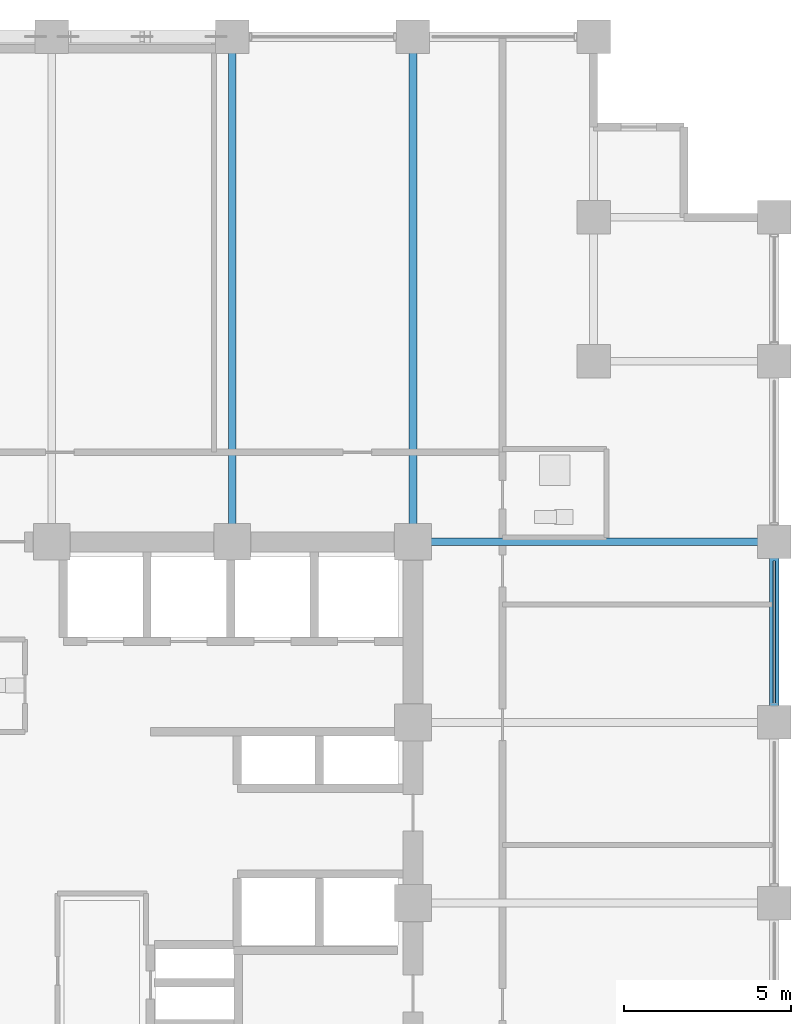
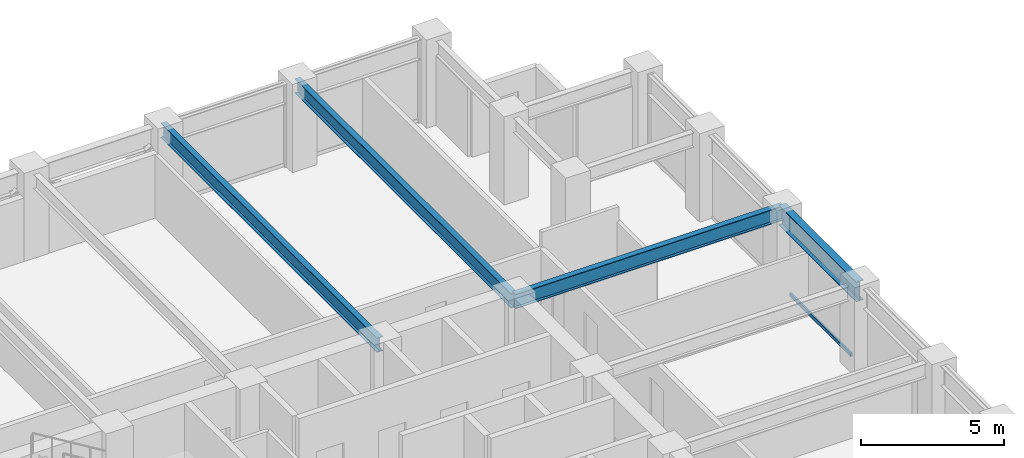
# One storey, part 14 of 23: 4 beams, 1 member, 1 element without a shape of its own.
"""IFC4 building model written with IfcOpenShell, lengths in metres."""

from ifc_helpers import new_model, si_unit, direction, frame, origin, origin_2d, place, context, subcontext, project, spatial, hollow_rectangle, i_section, extrude, material, layer, layer_set, material_profile, profile_set, type_object, element, aggregate, save


model = new_model("IFC4")

# Units and contexts
model_context = context("Model", 3, precision=1e-05, world=origin(), true_north=direction((0.0, 1.0)))
body_context = subcontext(model_context, "Body", "Model", "MODEL_VIEW")
ifc_project = project(units=[si_unit("LENGTHUNIT", "METRE"), si_unit("AREAUNIT", "SQUARE_METRE"), si_unit("VOLUMEUNIT", "CUBIC_METRE"), si_unit("PLANEANGLEUNIT", "RADIAN"), si_unit("MASSUNIT", "GRAM", prefix="KILO")], contexts=[model_context])

# Site, building, storey
site_placement = place(None, origin())
site = spatial("IfcSite", under=ifc_project, at=site_placement, CompositionType="ELEMENT")
building_placement = place(site_placement, origin())
building = spatial("IfcBuilding", under=site, at=building_placement, Name="Surkhivell Harbour Commons", CompositionType="ELEMENT")
storey_placement = place(building_placement, frame((0.0, 0.0, 135.75)))
storey = spatial("IfcBuildingStorey", under=building, at=storey_placement, Name="L35", CompositionType="ELEMENT", Elevation=135.75)

# Beams
ifc_material_1 = material(Name="Steel S355", Category="steel")
ifc_material_profile_1 = material_profile(ifc_material_1, i_section(OverallWidth=0.22998046875, OverallDepth=0.616943359375, WebThickness=0.01318359375, FlangeThickness=0.022216796875, at=origin_2d()), Name="UB610x229x140")
ifc_profile_set_1 = profile_set([ifc_material_profile_1], Name="Steel S355")
beam_type_1 = type_object("IfcBeamType", Name="BM-GRD-610B", PredefinedType="BEAM", material=ifc_profile_set_1)
for number, where, z_axis, x_axis, name in (
    (1, (5.39990234375, 10.800048828125, 3.261474609375), (0.0, 1.0, 0.0), (-1.0, 0.0, 0.0), "L35 Floor Girder (5.4,10.8)"),
    (2, (10.800048828125, 10.800048828125, 3.261474609375), (0.0, 1.0, 0.0), (-1.0, 0.0, 0.0), "L35 Floor Girder (10.8,10.8)"),
):
    element("IfcBeam", number, at=place(storey_placement, frame(where, z_axis=z_axis, x_axis=x_axis)), inside=storey, type_object=beam_type_1, Name=name, PredefinedType="BEAM", context=body_context, shape_type="SweptSolid", body=[
        extrude(i_section(OverallWidth=0.22998046875, OverallDepth=0.616943359375, WebThickness=0.01318359375, FlangeThickness=0.022216796875, at=origin_2d()), origin(), (0.0, 0.0, 1.0), 15.099853515625),
    ])
beam_1_placement = place(storey_placement, frame((10.800048828125, 10.800048828125, 3.261474609375), z_axis=(1.0, 0.0, 0.0), x_axis=(0.0, 1.0, 0.0)))
element("IfcBeam", 3, at=beam_1_placement, inside=storey, type_object=beam_type_1, Name="L35 Floor Girder (10.8,10.8)", PredefinedType="BEAM", context=body_context, shape_type="SweptSolid", body=[
    extrude(i_section(OverallWidth=0.22998046875, OverallDepth=0.616943359375, WebThickness=0.01318359375, FlangeThickness=0.022216796875, at=origin_2d()), origin(), (0.0, 0.0, 1.0), 10.800048828125),
])
ifc_material_2 = material(Name="Steel S460", Category="steel")
ifc_material_profile_2 = material_profile(ifc_material_2, i_section(OverallWidth=0.2939453125, OverallDepth=0.85107421875, WebThickness=0.01611328125, FlangeThickness=0.02685546875, at=origin_2d()), Name="UB838x292x226")
ifc_profile_set_2 = profile_set([ifc_material_profile_2], Name="Steel S460")
beam_type_2 = type_object("IfcBeamType", Name="BM-SPN-838", PredefinedType="SPANDREL", material=ifc_profile_set_2)
beam_2_placement = place(storey_placement, frame((21.60009765625, 5.39990234375, 3.14453125), z_axis=(0.0, 1.0, 0.0), x_axis=(-1.0, 0.0, 0.0)))
element("IfcBeam", 4, at=beam_2_placement, inside=storey, type_object=beam_type_2, Name="L35 Tube Spandrel (21.6,5.4)", PredefinedType="SPANDREL", context=body_context, shape_type="SweptSolid", body=[
    extrude(i_section(OverallWidth=0.2939453125, OverallDepth=0.85107421875, WebThickness=0.01611328125, FlangeThickness=0.02685546875, at=origin_2d()), origin(), (0.0, 0.0, 1.0), 5.400146484375),
])

# Curtain wall, member
ifc_material_3 = material(Name="Anodised pale-metal aluminium and insulated glazing", Category="aluminium")
ifc_layer = layer(ifc_material_3, 0.205078125)
ifc_layer_set = layer_set([ifc_layer], Name="Anodised pale-metal aluminium and insulated glazing")
curtain_wall_type = type_object("IfcCurtainWallType", Name="CW-SYS-Z2", PredefinedType="NOTDEFINED", material=ifc_layer_set)
curtain_wall_placement = place(storey_placement, origin())
curtain_wall = element("IfcCurtainWall", 5, at=curtain_wall_placement, inside=storey, type_object=curtain_wall_type, Name="L35 Curtain Wall CW-L35-E02", PredefinedType="NOTDEFINED")
ifc_material_4 = material(Name="Anodised pale-metal aluminium alloy 6063-T6", Category="aluminium")
ifc_material_profile_3 = material_profile(ifc_material_4, hollow_rectangle(XDim=0.074951171875, YDim=0.14990234375, WallThickness=0.00341796875, at=origin_2d()), Name="ALU-TRAN-75x150")
ifc_profile_set_3 = profile_set([ifc_material_profile_3], Name="Anodised pale-metal aluminium alloy 6063-T6")
member_type = type_object("IfcMemberType", Name="CWT-150", PredefinedType="USERDEFINED", material=ifc_profile_set_3)
member_placement = place(storey_placement, frame((21.60009765625, 5.97705078125, 0.074951171875), z_axis=(0.0, 1.0, 0.0), x_axis=(-1.0, 0.0, 0.0)))
member = element("IfcMember", 6, at=member_placement, type_object=member_type, Name="CW-Z2 transom 3.1", ObjectType="TRANSOM", PredefinedType="USERDEFINED", context=body_context, shape_type="SweptSolid", body=[
    extrude(hollow_rectangle(XDim=0.074951171875, YDim=0.14990234375, WallThickness=0.00341796875, at=origin_2d()), origin(), (0.0, 0.0, 1.0), 4.245849609375),
])
aggregate(curtain_wall, [member])

save(model, "model.ifc")
